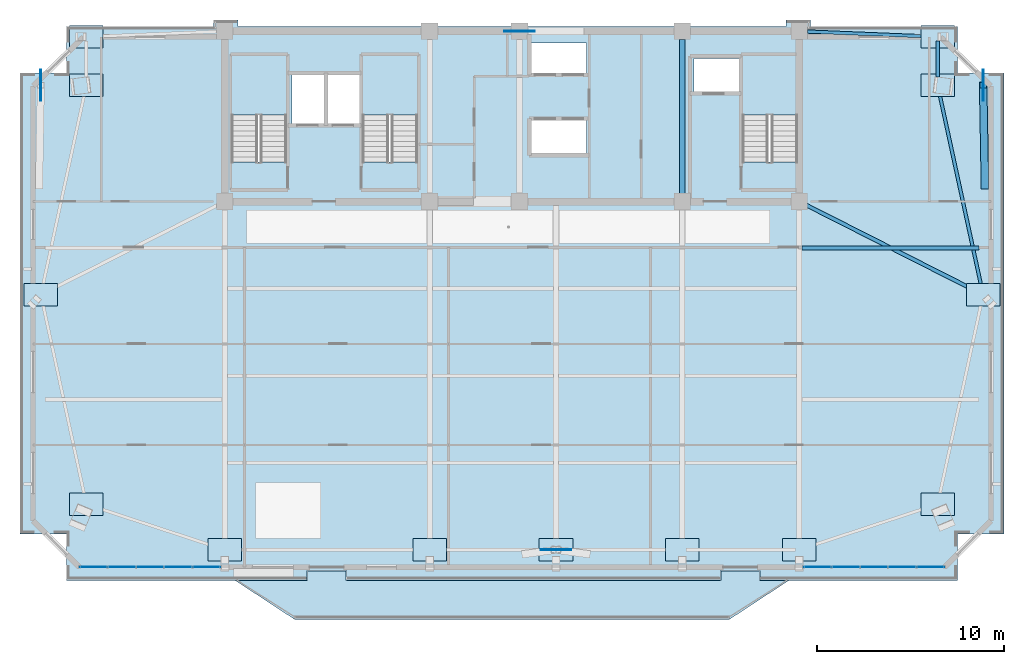
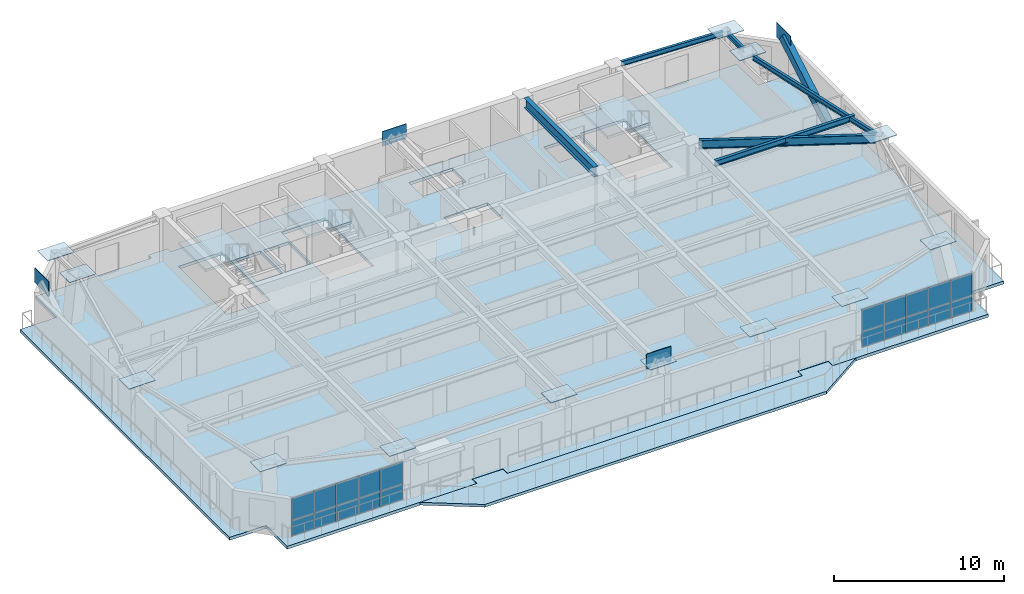
# One storey, part 7 of 15: 37 plates, 6 beams, 5 slabs, 1 member, 5 elements without a shape of their own.
"""IFC4 building model written with IfcOpenShell, lengths in metres."""

from ifc_helpers import new_model, si_unit, direction, frame, origin, origin_2d, place, context, subcontext, project, spatial, polyline, rectangle, hollow_rectangle, i_section, outline, extrude, source, transform, mapped, material, layer, layer_set, material_profile, profile_set, type_object, element, aggregate, save


model = new_model("IFC4")

# Units and contexts
model_context = context("Model", 3, precision=1e-05, world=origin(), true_north=direction((0.0, 1.0)))
body_context = subcontext(model_context, "Body", "Model", "MODEL_VIEW")
ifc_project = project(units=[si_unit("LENGTHUNIT", "METRE"), si_unit("AREAUNIT", "SQUARE_METRE"), si_unit("VOLUMEUNIT", "CUBIC_METRE"), si_unit("PLANEANGLEUNIT", "RADIAN"), si_unit("MASSUNIT", "GRAM", prefix="KILO")], contexts=[model_context])

# Site, building, storey
site_placement = place(None, origin())
site = spatial("IfcSite", under=ifc_project, at=site_placement, CompositionType="ELEMENT")
building_placement = place(site_placement, origin())
building = spatial("IfcBuilding", under=site, at=building_placement, Name="Giltprow Tower", CompositionType="ELEMENT")
storey_placement = place(building_placement, frame((0.0, 0.0, 290.39990234375)))
storey = spatial("IfcBuildingStorey", under=building, at=storey_placement, Name="L74", CompositionType="ELEMENT", Elevation=290.39990234375)

# Beams
ifc_material_1 = material(Name="Structural steel Q355B", Category="steel")
ifc_material_profile_1 = material_profile(ifc_material_1, i_section(OverallWidth=0.300048828125, OverallDepth=0.699951171875, WebThickness=0.012939453125, FlangeThickness=0.02392578125, at=origin_2d()), Name="HN 700x300x13x24")
ifc_profile_set_1 = profile_set([ifc_material_profile_1], Name="Structural steel Q355B")
beam_type_1 = type_object("IfcBeamType", Name="BM-GIRD-HN700", PredefinedType="BEAM", material=ifc_profile_set_1)
shared_shape_1 = source(origin(), body_context, "Body", "SweptSolid", [
    extrude(i_section(OverallWidth=0.300048828125, OverallDepth=0.699951171875, WebThickness=0.012939453125, FlangeThickness=0.02392578125, at=origin_2d()), origin(), (0.0, 0.0, 1.0), 8.22998046875),
])
beam_1_placement = place(storey_placement, frame((44.300048828125, 37.885009765625, 2.835205078125), z_axis=(0.0, 1.0, 0.0), x_axis=(-1.0, 0.0, 0.0)))
element("IfcBeam", 1, at=beam_1_placement, inside=storey, type_object=beam_type_1, Name="L74 Core Tie Girder M3", PredefinedType="BEAM", context=body_context, shape_type="MappedRepresentation", body=[
    mapped(shared_shape_1, transform((0.0, 0.0, 0.0), x_axis=(1.0, 0.0, 0.0), y_axis=(0.0, 1.0, 0.0), z_axis=(0.0, 0.0, 1.0), scale=1.0)),
])
ifc_material_profile_2 = material_profile(ifc_material_1, i_section(OverallWidth=0.175048828125, OverallDepth=0.35009765625, WebThickness=0.007080078125, FlangeThickness=0.010986328125, at=origin_2d()), Name="HN 350x175x7x11")
ifc_profile_set_2 = profile_set([ifc_material_profile_2], Name="Structural steel Q355B")
beam_type_2 = type_object("IfcBeamType", Name="BM-SPAN-HN350", PredefinedType="SPANDREL", material=ifc_profile_set_2)
shared_shape_2 = source(origin(), body_context, "Body", "SweptSolid", [
    extrude(i_section(OverallWidth=0.175048828125, OverallDepth=0.35009765625, WebThickness=0.007080078125, FlangeThickness=0.010986328125, at=origin_2d()), origin(), (0.0, 0.0, 1.0), 10.81396484375),
])
beam_2_placement = place(storey_placement, frame((60.3310546875, 32.676025390625, 3.010009765625), z_axis=(-0.212127827706, 0.977241927423, 0.0), x_axis=(-0.977241927423, -0.212127827706, 0.0)))
element("IfcBeam", 2, at=beam_2_placement, inside=storey, type_object=beam_type_2, Name="L74 Perimeter Spandrel Beam E_MID-MC_NE", PredefinedType="SPANDREL", context=body_context, shape_type="MappedRepresentation", body=[
    mapped(shared_shape_2, transform((0.0, 0.0, 0.0), x_axis=(1.0, 0.0, 0.0), y_axis=(0.0, 1.0, 0.0), z_axis=(0.0, 0.0, 1.0), scale=1.0)),
])
shared_shape_3 = source(origin(), body_context, "Body", "SweptSolid", [
    extrude(i_section(OverallWidth=0.175048828125, OverallDepth=0.35009765625, WebThickness=0.007080078125, FlangeThickness=0.010986328125, at=origin_2d()), origin(), (0.0, 0.0, 1.0), 1.93603515625),
])
beam_3_placement = place(storey_placement, frame((57.945068359375, 44.10400390625, 3.010009765625), z_axis=(0.0, 1.0, 0.0), x_axis=(-1.0, 0.0, 0.0)))
element("IfcBeam", 3, at=beam_3_placement, inside=storey, type_object=beam_type_2, Name="L74 Perimeter Spandrel Beam MC_NE-N_E", PredefinedType="SPANDREL", context=body_context, shape_type="MappedRepresentation", body=[
    mapped(shared_shape_3, transform((0.0, 0.0, 0.0), x_axis=(1.0, 0.0, 0.0), y_axis=(0.0, 1.0, 0.0), z_axis=(0.0, 0.0, 1.0), scale=1.0)),
])
shared_shape_4 = source(origin(), body_context, "Body", "SweptSolid", [
    extrude(i_section(OverallWidth=0.175048828125, OverallDepth=0.35009765625, WebThickness=0.007080078125, FlangeThickness=0.010986328125, at=origin_2d()), origin(), (0.0, 0.0, 1.0), 6.755615234375),
])
beam_4_placement = place(storey_placement, frame((50.985107421875, 46.531982421875, 3.010009765625), z_axis=(0.99918342897, -0.040403901678, 0.0), x_axis=(0.040403901678, 0.99918342897, 0.0)))
element("IfcBeam", 4, at=beam_4_placement, inside=storey, type_object=beam_type_2, Name="L74 North Wing Spandrel E", PredefinedType="SPANDREL", context=body_context, shape_type="MappedRepresentation", body=[
    mapped(shared_shape_4, transform((0.0, 0.0, 0.0), x_axis=(1.0, 0.0, 0.0), y_axis=(0.0, 1.0, 0.0), z_axis=(0.0, 0.0, 1.0), scale=1.0)),
])
ifc_material_profile_3 = material_profile(ifc_material_1, i_section(OverallWidth=0.199951171875, OverallDepth=0.60009765625, WebThickness=0.010986328125, FlangeThickness=0.01708984375, at=origin_2d()), Name="HN 600x200x11x17")
ifc_profile_set_3 = profile_set([ifc_material_profile_3], Name="Structural steel Q355B")
beam_type_3 = type_object("IfcBeamType", Name="BM-GIRD-HN600", PredefinedType="BEAM", material=ifc_profile_set_3)
shared_shape_5 = source(origin(), body_context, "Body", "SweptSolid", [
    extrude(i_section(OverallWidth=0.199951171875, OverallDepth=0.60009765625, WebThickness=0.010986328125, FlangeThickness=0.01708984375, at=origin_2d()), origin(), (0.0, 0.0, 1.0), 10.37060546875),
])
beam_5_placement = place(storey_placement, frame((60.18896484375, 32.56591796875, 2.885009765625), z_axis=(-0.89204159727, 0.451953303716, 0.0), x_axis=(-0.451953303716, -0.89204159727, 0.0)))
element("IfcBeam", 5, at=beam_5_placement, inside=storey, type_object=beam_type_3, Name="L74 East Wing Primary Girder", PredefinedType="BEAM", context=body_context, shape_type="MappedRepresentation", body=[
    mapped(shared_shape_5, transform((0.0, 0.0, 0.0), x_axis=(1.0, 0.0, 0.0), y_axis=(0.0, 1.0, 0.0), z_axis=(0.0, 0.0, 1.0), scale=1.0)),
])
ifc_material_profile_4 = material_profile(ifc_material_1, i_section(OverallWidth=0.199951171875, OverallDepth=0.39990234375, WebThickness=0.008056640625, FlangeThickness=0.012939453125, at=origin_2d()), Name="HN 400x200x8x13")
ifc_profile_set_4 = profile_set([ifc_material_profile_4], Name="Structural steel Q355B")
beam_type_4 = type_object("IfcBeamType", Name="BM-JOIST-HN400", PredefinedType="JOIST", material=ifc_profile_set_4)
shared_shape_6 = source(origin(), body_context, "Body", "SweptSolid", [
    extrude(i_section(OverallWidth=0.199951171875, OverallDepth=0.39990234375, WebThickness=0.008056640625, FlangeThickness=0.012939453125, at=origin_2d()), origin(), (0.0, 0.0, 1.0), 9.4609375),
])
beam_6_placement = place(storey_placement, frame((50.695068359375, 34.9599609375, 2.985107421875), z_axis=(1.0, 0.0, 0.0), x_axis=(0.0, 1.0, 0.0)))
element("IfcBeam", 6, at=beam_6_placement, inside=storey, type_object=beam_type_4, Name="L74 East Wing Floor Joist 2", PredefinedType="JOIST", context=body_context, shape_type="MappedRepresentation", body=[
    mapped(shared_shape_6, transform((0.0, 0.0, 0.0), x_axis=(1.0, 0.0, 0.0), y_axis=(0.0, 1.0, 0.0), z_axis=(0.0, 0.0, 1.0), scale=1.0)),
])

# Member
ifc_material_2 = material(Name="Structural steel Q420GJC", Category="steel")
ifc_material_profile_5 = material_profile(ifc_material_2, hollow_rectangle(XDim=0.39990234375, YDim=0.60009765625, WallThickness=0.028076171875, at=origin_2d()), Name="RHS 600x400x28")
ifc_profile_set_5 = profile_set([ifc_material_profile_5], Name="Structural steel Q420GJC")
member_type = type_object("IfcMemberType", Name="MBR-MEGA-RHS600", PredefinedType="BRACE", material=ifc_profile_set_5)
shared_shape_7 = source(origin(), body_context, "Body", "SweptSolid", [
    extrude(hollow_rectangle(XDim=0.39990234375, YDim=0.60009765625, WallThickness=0.028076171875, at=origin_2d()), origin(), (0.0, 0.0, 1.0), 6.369384765625),
])
member_placement = place(storey_placement, frame((60.471923828125, 38.283935546875, 0.0), z_axis=(-0.015063918423, 0.845457630148, 0.533830004764), x_axis=(-0.999841306613, -0.017814645396, 0.0)))
element("IfcMember", 7, at=member_placement, inside=storey, type_object=member_type, Name="L74 Chevron Mega-Brace E-D", PredefinedType="BRACE", context=body_context, shape_type="MappedRepresentation", body=[
    mapped(shared_shape_7, transform((0.0, 0.0, 0.0), x_axis=(1.0, 0.0, 0.0), y_axis=(0.0, 1.0, 0.0), z_axis=(0.0, 0.0, 1.0), scale=1.0)),
])

# Slabs
ifc_material_3 = material(Name="Concrete C40", Category="concrete")
ifc_layer_1 = layer(ifc_material_3, 0.199951171875, Name="Concrete C40")
ifc_layer_set_1 = layer_set([ifc_layer_1], Name="Concrete C40")
slab_type_1 = type_object("IfcSlabType", Name="SLB-BALC-BRONZE-200", PredefinedType="FLOOR", material=ifc_layer_set_1)
slab_1_placement = place(storey_placement, frame((0.0, 0.0, -0.199951171875)))
element("IfcSlab", 8, at=slab_1_placement, inside=storey, type_object=slab_type_1, Name="L74 Bronze Prow Waterfront Balcony Slab", PredefinedType="FLOOR", context=body_context, shape_type="SweptSolid", body=[
    extrude(outline(polyline([(50.0, 17.2080078125), (46.800048828125, 15.10791015625), (23.60009765625, 15.10791015625), (20.39990234375, 17.2080078125), (24.280029296875, 17.2080078125), (24.280029296875, 17.7080078125), (26.320068359375, 17.7080078125), (26.320068359375, 17.2080078125), (46.3798828125, 17.2080078125), (46.3798828125, 17.7080078125), (48.419921875, 17.7080078125), (48.419921875, 17.2080078125), (50.0, 17.2080078125)])), origin(), (0.0, 0.0, 1.0), 0.199951171875),
])
ifc_layer_2 = layer(ifc_material_3, 0.215087890625, Name="Concrete C40")
ifc_layer_set_2 = layer_set([ifc_layer_2], Name="Concrete C40")
slab_type_2 = type_object("IfcSlabType", Name="SLB-RES-215", PredefinedType="FLOOR", material=ifc_layer_set_2)
slab_2_placement = place(storey_placement, frame((0.0, 0.0, -0.21484375)))
element("IfcSlab", 9, at=slab_2_placement, inside=storey, type_object=slab_type_2, Name="L74 Structural Composite Floor Slab", PredefinedType="FLOOR", context=body_context, shape_type="SweptSolid", body=[
    extrude(outline(polyline([(61.490966796875, 44.322021484375), (61.490966796875, 19.68505859375), (59.013916015625, 19.68505859375), (59.013916015625, 17.2080078125), (48.449951171875, 17.2080078125), (48.449951171875, 17.72802734375), (46.35009765625, 17.72802734375), (46.35009765625, 17.2080078125), (26.35009765625, 17.2080078125), (26.35009765625, 17.72802734375), (24.25, 17.72802734375), (24.25, 17.2080078125), (11.385986328125, 17.2080078125), (11.385986328125, 19.68505859375), (8.908935546875, 19.68505859375), (8.908935546875, 44.322021484375), (11.385986328125, 44.322021484375), (11.385986328125, 46.799072265625), (19.25, 46.799072265625), (19.25, 47.14990234375), (20.550048828125, 47.14990234375), (20.550048828125, 46.799072265625), (49.85009765625, 46.799072265625), (49.85009765625, 47.14990234375), (51.14990234375, 47.14990234375), (51.14990234375, 46.799072265625), (59.013916015625, 46.799072265625), (59.013916015625, 44.322021484375), (61.490966796875, 44.322021484375)]), holes=[polyline([(39.18994140625, 41.800048828125), (36.239990234375, 41.800048828125), (36.239990234375, 40.0), (39.18994140625, 40.0), (39.18994140625, 41.800048828125)]), polyline([(23.159912109375, 39.570068359375), (23.159912109375, 45.25), (20.199951171875, 45.25), (20.199951171875, 39.570068359375), (23.159912109375, 39.570068359375)]), polyline([(30.159912109375, 39.570068359375), (30.159912109375, 45.25), (27.199951171875, 45.25), (27.199951171875, 39.570068359375), (30.159912109375, 39.570068359375)]), polyline([(50.4599609375, 45.25), (47.5, 45.25), (47.5, 39.570068359375), (50.4599609375, 39.570068359375), (50.4599609375, 45.25)]), polyline([(25.169921875, 44.199951171875), (23.449951171875, 44.199951171875), (23.449951171875, 41.60009765625), (25.169921875, 41.60009765625), (25.169921875, 44.199951171875)]), polyline([(27.10009765625, 44.199951171875), (25.35009765625, 44.199951171875), (25.35009765625, 41.60009765625), (27.10009765625, 41.60009765625), (27.10009765625, 44.199951171875)]), polyline([(47.3798828125, 43.300048828125), (47.3798828125, 45.10009765625), (44.919921875, 45.10009765625), (44.919921875, 43.300048828125), (47.3798828125, 43.300048828125)]), polyline([(39.18994140625, 44.300048828125), (39.18994140625, 45.919921875), (36.239990234375, 45.919921875), (36.239990234375, 44.300048828125), (39.18994140625, 44.300048828125)])]), origin(), (0.0, 0.0, 1.0), 0.21484375),
])

# Stair, slab
stair_type_1 = type_object("IfcStairType", Name="STR-ST-1", PredefinedType="HALF_TURN_STAIR", material=ifc_material_3)
stair_1_placement = place(storey_placement, origin())
stair_1 = element("IfcStair", 10, at=stair_1_placement, inside=storey, type_object=stair_type_1, Name="L74 Core Exit Stair ST-1", PredefinedType="HALF_TURN_STAIR")
ifc_layer_3 = layer(ifc_material_3, 0.179931640625, Name="Concrete C40")
ifc_layer_set_3 = layer_set([ifc_layer_3], Name="Concrete C40")
slab_type_3 = type_object("IfcSlabType", Name="SLD-ST-1", PredefinedType="LANDING", material=ifc_layer_set_3)
slab_3_placement = place(storey_placement, frame((0.0, 0.0, 1.52001953125)))
slab_3 = element("IfcSlab", 11, at=slab_3_placement, type_object=slab_type_3, Name="ST-1 landing 1", PredefinedType="LANDING", context=body_context, shape_type="SweptSolid", body=[
    extrude(outline(polyline([(23.159912109375, 42.070068359375), (23.159912109375, 45.25), (20.199951171875, 45.25), (20.199951171875, 42.070068359375), (23.159912109375, 42.070068359375)])), origin(), (0.0, 0.0, 1.0), 0.18017578125),
])
aggregate(stair_1, [slab_3])

stair_type_2 = type_object("IfcStairType", Name="STR-ST-2", PredefinedType="HALF_TURN_STAIR", material=ifc_material_3)
stair_2_placement = place(storey_placement, origin())
stair_2 = element("IfcStair", 12, at=stair_2_placement, inside=storey, type_object=stair_type_2, Name="L74 Core Exit Stair ST-2", PredefinedType="HALF_TURN_STAIR")
ifc_layer_4 = layer(ifc_material_3, 0.18798828125, Name="Concrete C40")
ifc_layer_set_4 = layer_set([ifc_layer_4], Name="Concrete C40")
slab_type_4 = type_object("IfcSlabType", Name="SLD-ST-2", PredefinedType="LANDING", material=ifc_layer_set_4)
slab_4_placement = place(storey_placement, frame((0.0, 0.0, 1.51220703125)))
slab_4 = element("IfcSlab", 13, at=slab_4_placement, type_object=slab_type_4, Name="ST-2 landing 1", PredefinedType="LANDING", context=body_context, shape_type="SweptSolid", body=[
    extrude(outline(polyline([(30.159912109375, 42.070068359375), (30.159912109375, 45.25), (27.199951171875, 45.25), (27.199951171875, 42.070068359375), (30.159912109375, 42.070068359375)])), origin(), (0.0, 0.0, 1.0), 0.18798828125),
])
aggregate(stair_2, [slab_4])

stair_type_3 = type_object("IfcStairType", Name="STR-ST-3", PredefinedType="HALF_TURN_STAIR", material=ifc_material_3)
stair_3_placement = place(storey_placement, origin())
stair_3 = element("IfcStair", 14, at=stair_3_placement, inside=storey, type_object=stair_type_3, Name="L74 Core Exit Stair ST-3", PredefinedType="HALF_TURN_STAIR")
ifc_layer_5 = layer(ifc_material_3, 0.196044921875, Name="Concrete C40")
ifc_layer_set_5 = layer_set([ifc_layer_5], Name="Concrete C40")
slab_type_5 = type_object("IfcSlabType", Name="SLD-ST-3", PredefinedType="LANDING", material=ifc_layer_set_5)
slab_5_placement = place(storey_placement, frame((0.0, 0.0, 1.504150390625)))
slab_5 = element("IfcSlab", 15, at=slab_5_placement, type_object=slab_type_5, Name="ST-3 landing 1", PredefinedType="LANDING", context=body_context, shape_type="SweptSolid", body=[
    extrude(outline(polyline([(50.4599609375, 42.070068359375), (50.4599609375, 45.25), (47.5, 45.25), (47.5, 42.070068359375), (50.4599609375, 42.070068359375)])), origin(), (0.0, 0.0, 1.0), 0.196044921875),
])
aggregate(stair_3, [slab_5])

# Plates
plate_type_1 = type_object("IfcPlateType", Name="PLT-NODE-CKN1", PredefinedType="USERDEFINED", material=ifc_material_2)
shared_shape_8 = source(origin(), body_context, "Body", "SweptSolid", [
    extrude(rectangle(XDim=1.800048828125, YDim=1.199951171875, at=origin_2d()), origin(), (0.0, 0.0, 1.0), 0.044921875),
])
for number, where, z_axis, x_axis, name in (
    (16, (12.455078125, 21.27197265625, 3.142578125), (0.0, 0.0, 1.0), (1.0, 0.0, 0.0), "CKN1 Column Taper Splice Node L74-MC_SW"),
    (17, (57.945068359375, 21.27197265625, 3.142578125), (0.0, 0.0, 1.0), (1.0, 0.0, 0.0), "CKN1 Column Taper Splice Node L74-MC_SE"),
    (18, (12.455078125, 43.6689453125, 3.142578125), (0.0, 0.0, 1.0), (1.0, 0.0, 0.0), "CKN1 Column Taper Splice Node L74-MC_NW"),
    (19, (57.945068359375, 43.6689453125, 3.142578125), (0.0, 0.0, 1.0), (1.0, 0.0, 0.0), "CKN1 Column Taper Splice Node L74-MC_NE"),
    (20, (19.85009765625, 18.841064453125, 3.142578125), (0.0, 0.0, 1.0), (1.0, 0.0, 0.0), "CKN1 Column Taper Splice Node L74-S1"),
    (21, (30.800048828125, 18.841064453125, 3.142578125), (0.0, 0.0, 1.0), (1.0, 0.0, 0.0), "CKN1 Column Taper Splice Node L74-S2"),
    (22, (37.550048828125, 18.841064453125, 3.142578125), (0.0, 0.0, 1.0), (1.0, 0.0, 0.0), "CKN1 Column Taper Splice Node L74-S_MID"),
    (23, (44.300048828125, 18.841064453125, 3.142578125), (0.0, 0.0, 1.0), (1.0, 0.0, 0.0), "CKN1 Column Taper Splice Node L74-S3"),
    (24, (50.550048828125, 18.841064453125, 3.142578125), (0.0, 0.0, 1.0), (1.0, 0.0, 0.0), "CKN1 Column Taper Splice Node L74-S4"),
    (25, (10.02392578125, 32.470947265625, 3.142578125), (0.0, 0.0, 1.0), (1.0, 0.0, 0.0), "CKN1 Column Taper Splice Node L74-W_MID"),
    (26, (60.3759765625, 32.470947265625, 3.142578125), (0.0, 0.0, 1.0), (1.0, 0.0, 0.0), "CKN1 Column Taper Splice Node L74-E_MID"),
    (27, (12.455078125, 46.25, 3.142578125), (0.0, 0.0, 1.0), (1.0, 0.0, 0.0), "CKN1 Column Taper Splice Node L74-N_W"),
    (28, (57.945068359375, 46.25, 3.142578125), (0.0, 0.0, 1.0), (1.0, 0.0, 0.0), "CKN1 Column Taper Splice Node L74-N_E"),
):
    element("IfcPlate", number, at=place(storey_placement, frame(where, z_axis=z_axis, x_axis=x_axis)), inside=storey, type_object=plate_type_1, Name=name, ObjectType="SPLICE", PredefinedType="USERDEFINED", context=body_context, shape_type="MappedRepresentation", body=[
        mapped(shared_shape_8, transform((0.0, 0.0, 0.0), x_axis=(1.0, 0.0, 0.0), y_axis=(0.0, 1.0, 0.0), z_axis=(0.0, 0.0, 1.0), scale=1.0)),
    ])
plate_type_2 = type_object("IfcPlateType", Name="PLT-NODE-MBN2", PredefinedType="USERDEFINED", material=ifc_material_2)
shared_shape_9 = source(origin(), body_context, "Body", "SweptSolid", [
    extrude(rectangle(XDim=1.64990234375, YDim=0.044921875, at=origin_2d()), origin(), (0.0, 0.0, 1.0), 1.050048828125),
])
for number, where, z_axis, x_axis, name in (
    (29, (37.550048828125, 18.841064453125, 2.875), (0.0, 0.0, 1.0), (1.0, 0.0, 0.0), "Mega-Brace Node L74-S-LB"),
    (30, (35.60009765625, 46.550048828125, 2.73486328125), (0.0, 0.0, 1.0), (1.0, 0.0, 0.0), "Mega-Brace Node L74-N-LB"),
    (31, (10.02392578125, 43.6689453125, 2.875), (0.0, 0.0, 1.0), (0.0, 1.0, 0.0), "Mega-Brace Node L74-W-DB"),
    (32, (60.3759765625, 43.6689453125, 2.875), (0.0, 0.0, 1.0), (0.0, 1.0, 0.0), "Mega-Brace Node L74-E-DB"),
):
    element("IfcPlate", number, at=place(storey_placement, frame(where, z_axis=z_axis, x_axis=x_axis)), inside=storey, type_object=plate_type_2, Name=name, ObjectType="GUSSET", PredefinedType="USERDEFINED", context=body_context, shape_type="MappedRepresentation", body=[
        mapped(shared_shape_9, transform((0.0, 0.0, 0.0), x_axis=(1.0, 0.0, 0.0), y_axis=(0.0, 1.0, 0.0), z_axis=(0.0, 0.0, 1.0), scale=1.0)),
    ])

# Curtain wall, plates
ifc_material_4 = material(Name="Anodized bronze", Category="metal")
ifc_layer_6 = layer(ifc_material_4, 0.179931640625, Name="Anodized bronze")
ifc_layer_set_6 = layer_set([ifc_layer_6], Name="Anodized bronze")
curtain_wall_type = type_object("IfcCurtainWallType", Name="CW-RES-SKY", PredefinedType="NOTDEFINED", material=ifc_layer_set_6)
curtain_wall_1_placement = place(storey_placement, origin())
curtain_wall_1 = element("IfcCurtainWall", 33, at=curtain_wall_1_placement, inside=storey, type_object=curtain_wall_type, Name="L74 South Recessed Curtain Wall 1", PredefinedType="NOTDEFINED")
ifc_material_5 = material(Name="Insulated glass", Category="glass")
plate_type_3 = type_object("IfcPlateType", Name="CW-PANEL-IGU-28", PredefinedType="CURTAIN_PANEL", material=ifc_material_5)
shared_shape_10 = source(origin(), body_context, "Body", "SweptSolid", [
    extrude(rectangle(XDim=1.47802734375, YDim=0.028076171875, at=origin_2d()), origin(), (0.0, 0.0, 1.0), 1.114013671875),
])
plate_1_placement = place(storey_placement, frame((12.840087890625, 17.907958984375, 0.05419921875), z_axis=(0.0, 0.0, 1.0), x_axis=(1.0, 0.0, 0.0)))
plate_1 = element("IfcPlate", 34, at=plate_1_placement, type_object=plate_type_3, Name="L74 South Recessed Curtain Wall 1 Glazing Panel 1-1", PredefinedType="CURTAIN_PANEL", context=body_context, shape_type="MappedRepresentation", body=[
    mapped(shared_shape_10, transform((0.0, 0.0, 0.0), x_axis=(1.0, 0.0, 0.0), y_axis=(0.0, 1.0, 0.0), z_axis=(0.0, 0.0, 1.0), scale=1.0)),
])
plate_2_placement = place(storey_placement, frame((14.347900390625, 17.907958984375, 0.05419921875), z_axis=(0.0, 0.0, 1.0), x_axis=(1.0, 0.0, 0.0)))
plate_2 = element("IfcPlate", 35, at=plate_2_placement, type_object=plate_type_3, Name="L74 South Recessed Curtain Wall 1 Glazing Panel 2-1", PredefinedType="CURTAIN_PANEL", context=body_context, shape_type="MappedRepresentation", body=[
    mapped(shared_shape_10, transform((0.0, 0.0, 0.0), x_axis=(1.0, 0.0, 0.0), y_axis=(0.0, 1.0, 0.0), z_axis=(0.0, 0.0, 1.0), scale=1.0)),
])
plate_3_placement = place(storey_placement, frame((15.85498046875, 17.907958984375, 0.05419921875), z_axis=(0.0, 0.0, 1.0), x_axis=(1.0, 0.0, 0.0)))
plate_3 = element("IfcPlate", 36, at=plate_3_placement, type_object=plate_type_3, Name="L74 South Recessed Curtain Wall 1 Glazing Panel 3-1", PredefinedType="CURTAIN_PANEL", context=body_context, shape_type="MappedRepresentation", body=[
    mapped(shared_shape_10, transform((0.0, 0.0, 0.0), x_axis=(1.0, 0.0, 0.0), y_axis=(0.0, 1.0, 0.0), z_axis=(0.0, 0.0, 1.0), scale=1.0)),
])
plate_4_placement = place(storey_placement, frame((17.363037109375, 17.907958984375, 0.05419921875), z_axis=(0.0, 0.0, 1.0), x_axis=(1.0, 0.0, 0.0)))
plate_4 = element("IfcPlate", 37, at=plate_4_placement, type_object=plate_type_3, Name="L74 South Recessed Curtain Wall 1 Glazing Panel 4-1", PredefinedType="CURTAIN_PANEL", context=body_context, shape_type="MappedRepresentation", body=[
    mapped(shared_shape_10, transform((0.0, 0.0, 0.0), x_axis=(1.0, 0.0, 0.0), y_axis=(0.0, 1.0, 0.0), z_axis=(0.0, 0.0, 1.0), scale=1.0)),
])
plate_5_placement = place(storey_placement, frame((18.87109375, 17.907958984375, 0.05419921875), z_axis=(0.0, 0.0, 1.0), x_axis=(1.0, 0.0, 0.0)))
plate_5 = element("IfcPlate", 38, at=plate_5_placement, type_object=plate_type_3, Name="L74 South Recessed Curtain Wall 1 Glazing Panel 5-1", PredefinedType="CURTAIN_PANEL", context=body_context, shape_type="MappedRepresentation", body=[
    mapped(shared_shape_10, transform((0.0, 0.0, 0.0), x_axis=(1.0, 0.0, 0.0), y_axis=(0.0, 1.0, 0.0), z_axis=(0.0, 0.0, 1.0), scale=1.0)),
])

curtain_wall_2_placement = place(storey_placement, origin())
curtain_wall_2 = element("IfcCurtainWall", 39, at=curtain_wall_2_placement, inside=storey, type_object=curtain_wall_type, Name="L74 South Recessed Curtain Wall 6", PredefinedType="NOTDEFINED")
plate_6_placement = place(storey_placement, frame((51.529052734375, 17.907958984375, 0.05419921875), z_axis=(0.0, 0.0, 1.0), x_axis=(1.0, 0.0, 0.0)))
plate_6 = element("IfcPlate", 40, at=plate_6_placement, type_object=plate_type_3, Name="L74 South Recessed Curtain Wall 6 Glazing Panel 1-1", PredefinedType="CURTAIN_PANEL", context=body_context, shape_type="MappedRepresentation", body=[
    mapped(shared_shape_10, transform((0.0, 0.0, 0.0), x_axis=(1.0, 0.0, 0.0), y_axis=(0.0, 1.0, 0.0), z_axis=(0.0, 0.0, 1.0), scale=1.0)),
])
plate_7_placement = place(storey_placement, frame((53.037109375, 17.907958984375, 0.05419921875), z_axis=(0.0, 0.0, 1.0), x_axis=(1.0, 0.0, 0.0)))
plate_7 = element("IfcPlate", 41, at=plate_7_placement, type_object=plate_type_3, Name="L74 South Recessed Curtain Wall 6 Glazing Panel 2-1", PredefinedType="CURTAIN_PANEL", context=body_context, shape_type="MappedRepresentation", body=[
    mapped(shared_shape_10, transform((0.0, 0.0, 0.0), x_axis=(1.0, 0.0, 0.0), y_axis=(0.0, 1.0, 0.0), z_axis=(0.0, 0.0, 1.0), scale=1.0)),
])
plate_8_placement = place(storey_placement, frame((54.5439453125, 17.907958984375, 0.05419921875), z_axis=(0.0, 0.0, 1.0), x_axis=(1.0, 0.0, 0.0)))
plate_8 = element("IfcPlate", 42, at=plate_8_placement, type_object=plate_type_3, Name="L74 South Recessed Curtain Wall 6 Glazing Panel 3-1", PredefinedType="CURTAIN_PANEL", context=body_context, shape_type="MappedRepresentation", body=[
    mapped(shared_shape_10, transform((0.0, 0.0, 0.0), x_axis=(1.0, 0.0, 0.0), y_axis=(0.0, 1.0, 0.0), z_axis=(0.0, 0.0, 1.0), scale=1.0)),
])
plate_9_placement = place(storey_placement, frame((56.052001953125, 17.907958984375, 0.05419921875), z_axis=(0.0, 0.0, 1.0), x_axis=(1.0, 0.0, 0.0)))
plate_9 = element("IfcPlate", 43, at=plate_9_placement, type_object=plate_type_3, Name="L74 South Recessed Curtain Wall 6 Glazing Panel 4-1", PredefinedType="CURTAIN_PANEL", context=body_context, shape_type="MappedRepresentation", body=[
    mapped(shared_shape_10, transform((0.0, 0.0, 0.0), x_axis=(1.0, 0.0, 0.0), y_axis=(0.0, 1.0, 0.0), z_axis=(0.0, 0.0, 1.0), scale=1.0)),
])
plate_10_placement = place(storey_placement, frame((57.56005859375, 17.907958984375, 0.05419921875), z_axis=(0.0, 0.0, 1.0), x_axis=(1.0, 0.0, 0.0)))
plate_10 = element("IfcPlate", 44, at=plate_10_placement, type_object=plate_type_3, Name="L74 South Recessed Curtain Wall 6 Glazing Panel 5-1", PredefinedType="CURTAIN_PANEL", context=body_context, shape_type="MappedRepresentation", body=[
    mapped(shared_shape_10, transform((0.0, 0.0, 0.0), x_axis=(1.0, 0.0, 0.0), y_axis=(0.0, 1.0, 0.0), z_axis=(0.0, 0.0, 1.0), scale=1.0)),
])

# Plate
shared_shape_11 = source(origin(), body_context, "Body", "SweptSolid", [
    extrude(rectangle(XDim=1.47802734375, YDim=0.028076171875, at=origin_2d()), origin(), (0.0, 0.0, 1.0), 1.56494140625),
])
plate_11_placement = place(storey_placement, frame((12.840087890625, 17.907958984375, 1.196533203125), z_axis=(0.0, 0.0, 1.0), x_axis=(1.0, 0.0, 0.0)))
plate_11 = element("IfcPlate", 45, at=plate_11_placement, type_object=plate_type_3, Name="L74 South Recessed Curtain Wall 1 Glazing Panel 1-2", PredefinedType="CURTAIN_PANEL", context=body_context, shape_type="MappedRepresentation", body=[
    mapped(shared_shape_11, transform((0.0, 0.0, 0.0), x_axis=(1.0, 0.0, 0.0), y_axis=(0.0, 1.0, 0.0), z_axis=(0.0, 0.0, 1.0), scale=1.0)),
])

plate_12_placement = place(storey_placement, frame((14.347900390625, 17.907958984375, 1.196533203125), z_axis=(0.0, 0.0, 1.0), x_axis=(1.0, 0.0, 0.0)))
plate_12 = element("IfcPlate", 46, at=plate_12_placement, type_object=plate_type_3, Name="L74 South Recessed Curtain Wall 1 Glazing Panel 2-2", PredefinedType="CURTAIN_PANEL", context=body_context, shape_type="MappedRepresentation", body=[
    mapped(shared_shape_11, transform((0.0, 0.0, 0.0), x_axis=(1.0, 0.0, 0.0), y_axis=(0.0, 1.0, 0.0), z_axis=(0.0, 0.0, 1.0), scale=1.0)),
])

plate_13_placement = place(storey_placement, frame((15.85498046875, 17.907958984375, 1.196533203125), z_axis=(0.0, 0.0, 1.0), x_axis=(1.0, 0.0, 0.0)))
plate_13 = element("IfcPlate", 47, at=plate_13_placement, type_object=plate_type_3, Name="L74 South Recessed Curtain Wall 1 Glazing Panel 3-2", PredefinedType="CURTAIN_PANEL", context=body_context, shape_type="MappedRepresentation", body=[
    mapped(shared_shape_11, transform((0.0, 0.0, 0.0), x_axis=(1.0, 0.0, 0.0), y_axis=(0.0, 1.0, 0.0), z_axis=(0.0, 0.0, 1.0), scale=1.0)),
])

plate_14_placement = place(storey_placement, frame((17.363037109375, 17.907958984375, 1.196533203125), z_axis=(0.0, 0.0, 1.0), x_axis=(1.0, 0.0, 0.0)))
plate_14 = element("IfcPlate", 48, at=plate_14_placement, type_object=plate_type_3, Name="L74 South Recessed Curtain Wall 1 Glazing Panel 4-2", PredefinedType="CURTAIN_PANEL", context=body_context, shape_type="MappedRepresentation", body=[
    mapped(shared_shape_11, transform((0.0, 0.0, 0.0), x_axis=(1.0, 0.0, 0.0), y_axis=(0.0, 1.0, 0.0), z_axis=(0.0, 0.0, 1.0), scale=1.0)),
])

plate_15_placement = place(storey_placement, frame((18.87109375, 17.907958984375, 1.196533203125), z_axis=(0.0, 0.0, 1.0), x_axis=(1.0, 0.0, 0.0)))
plate_15 = element("IfcPlate", 49, at=plate_15_placement, type_object=plate_type_3, Name="L74 South Recessed Curtain Wall 1 Glazing Panel 5-2", PredefinedType="CURTAIN_PANEL", context=body_context, shape_type="MappedRepresentation", body=[
    mapped(shared_shape_11, transform((0.0, 0.0, 0.0), x_axis=(1.0, 0.0, 0.0), y_axis=(0.0, 1.0, 0.0), z_axis=(0.0, 0.0, 1.0), scale=1.0)),
])

aggregate(curtain_wall_1, [plate_1, plate_11, plate_2, plate_12, plate_3, plate_13, plate_4, plate_14, plate_5, plate_15])

plate_16_placement = place(storey_placement, frame((51.529052734375, 17.907958984375, 1.196533203125), z_axis=(0.0, 0.0, 1.0), x_axis=(1.0, 0.0, 0.0)))
plate_16 = element("IfcPlate", 50, at=plate_16_placement, type_object=plate_type_3, Name="L74 South Recessed Curtain Wall 6 Glazing Panel 1-2", PredefinedType="CURTAIN_PANEL", context=body_context, shape_type="MappedRepresentation", body=[
    mapped(shared_shape_11, transform((0.0, 0.0, 0.0), x_axis=(1.0, 0.0, 0.0), y_axis=(0.0, 1.0, 0.0), z_axis=(0.0, 0.0, 1.0), scale=1.0)),
])

plate_17_placement = place(storey_placement, frame((53.037109375, 17.907958984375, 1.196533203125), z_axis=(0.0, 0.0, 1.0), x_axis=(1.0, 0.0, 0.0)))
plate_17 = element("IfcPlate", 51, at=plate_17_placement, type_object=plate_type_3, Name="L74 South Recessed Curtain Wall 6 Glazing Panel 2-2", PredefinedType="CURTAIN_PANEL", context=body_context, shape_type="MappedRepresentation", body=[
    mapped(shared_shape_11, transform((0.0, 0.0, 0.0), x_axis=(1.0, 0.0, 0.0), y_axis=(0.0, 1.0, 0.0), z_axis=(0.0, 0.0, 1.0), scale=1.0)),
])

plate_18_placement = place(storey_placement, frame((54.5439453125, 17.907958984375, 1.196533203125), z_axis=(0.0, 0.0, 1.0), x_axis=(1.0, 0.0, 0.0)))
plate_18 = element("IfcPlate", 52, at=plate_18_placement, type_object=plate_type_3, Name="L74 South Recessed Curtain Wall 6 Glazing Panel 3-2", PredefinedType="CURTAIN_PANEL", context=body_context, shape_type="MappedRepresentation", body=[
    mapped(shared_shape_11, transform((0.0, 0.0, 0.0), x_axis=(1.0, 0.0, 0.0), y_axis=(0.0, 1.0, 0.0), z_axis=(0.0, 0.0, 1.0), scale=1.0)),
])

plate_19_placement = place(storey_placement, frame((56.052001953125, 17.907958984375, 1.196533203125), z_axis=(0.0, 0.0, 1.0), x_axis=(1.0, 0.0, 0.0)))
plate_19 = element("IfcPlate", 53, at=plate_19_placement, type_object=plate_type_3, Name="L74 South Recessed Curtain Wall 6 Glazing Panel 4-2", PredefinedType="CURTAIN_PANEL", context=body_context, shape_type="MappedRepresentation", body=[
    mapped(shared_shape_11, transform((0.0, 0.0, 0.0), x_axis=(1.0, 0.0, 0.0), y_axis=(0.0, 1.0, 0.0), z_axis=(0.0, 0.0, 1.0), scale=1.0)),
])

plate_20_placement = place(storey_placement, frame((57.56005859375, 17.907958984375, 1.196533203125), z_axis=(0.0, 0.0, 1.0), x_axis=(1.0, 0.0, 0.0)))
plate_20 = element("IfcPlate", 54, at=plate_20_placement, type_object=plate_type_3, Name="L74 South Recessed Curtain Wall 6 Glazing Panel 5-2", PredefinedType="CURTAIN_PANEL", context=body_context, shape_type="MappedRepresentation", body=[
    mapped(shared_shape_11, transform((0.0, 0.0, 0.0), x_axis=(1.0, 0.0, 0.0), y_axis=(0.0, 1.0, 0.0), z_axis=(0.0, 0.0, 1.0), scale=1.0)),
])

aggregate(curtain_wall_2, [plate_6, plate_16, plate_7, plate_17, plate_8, plate_18, plate_9, plate_19, plate_10, plate_20])

save(model, "model.ifc")
